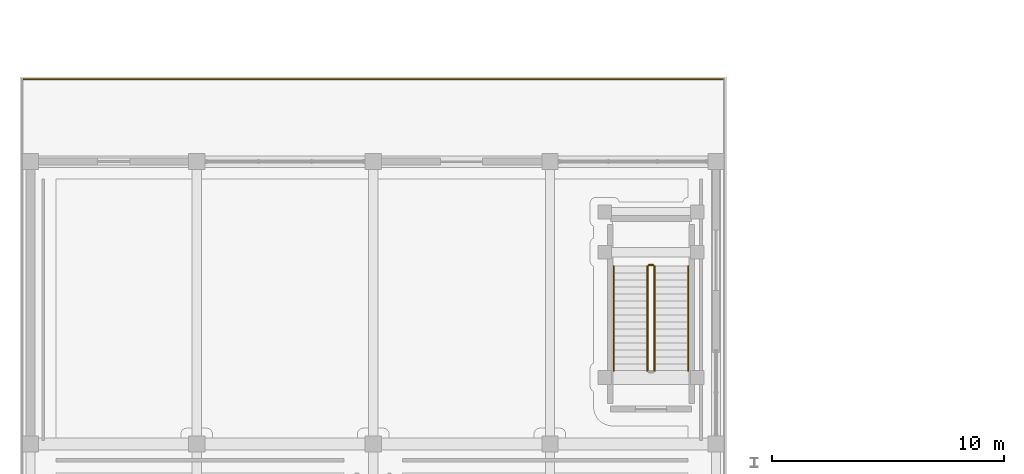
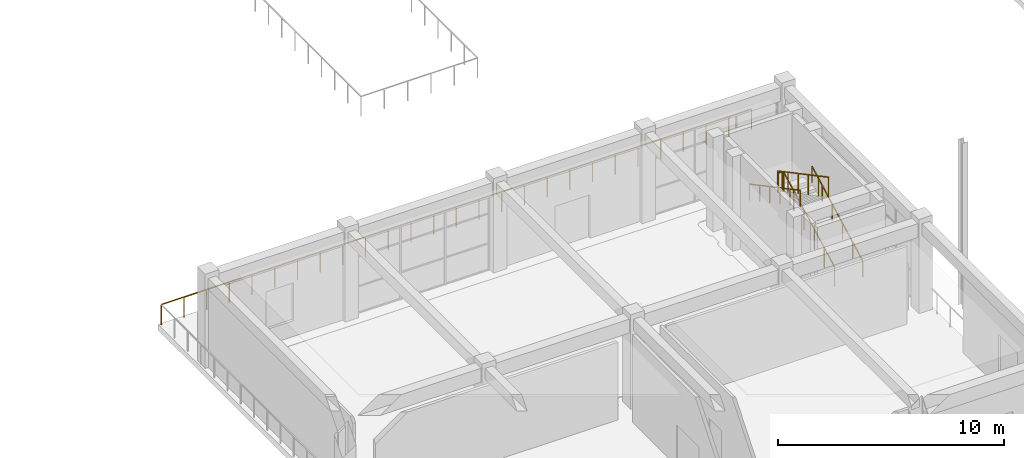
# One storey, part 79 of 99: 6 railings.
"""IFC4 building model written with IfcOpenShell, lengths in metres."""

from ifc_helpers import new_model, si_unit, direction, frame, origin, origin_2d, place, context, subcontext, project, spatial, rectangle, extrude, material, layer, layer_set, type_object, element, save


model = new_model("IFC4")

# Units and contexts
model_context = context("Model", 3, precision=1e-05, world=origin(), true_north=direction((0.0, 1.0)))
body_context = subcontext(model_context, "Body", "Model", "MODEL_VIEW")
ifc_project = project(units=[si_unit("LENGTHUNIT", "METRE"), si_unit("AREAUNIT", "SQUARE_METRE"), si_unit("VOLUMEUNIT", "CUBIC_METRE"), si_unit("PLANEANGLEUNIT", "RADIAN"), si_unit("MASSUNIT", "GRAM", prefix="KILO")], contexts=[model_context])

# Site, building, storey
site_placement = place(None, origin())
site = spatial("IfcSite", under=ifc_project, at=site_placement, CompositionType="ELEMENT")
building_placement = place(site_placement, origin())
building = spatial("IfcBuilding", under=site, at=building_placement, Name="Saryqyr Civic Hall", CompositionType="ELEMENT")
storey_placement = place(building_placement, origin())
storey = spatial("IfcBuildingStorey", under=building, at=storey_placement, Name="L00", CompositionType="ELEMENT", Elevation=0.0)

# Railings
ifc_material_1 = material(Name="Warm brushed brass and laminated glass", Category="glass")
ifc_layer_1 = layer(ifc_material_1, 0.06005859375, Name="Warm brushed brass and laminated glass")
ifc_layer_set_1 = layer_set([ifc_layer_1], Name="Warm brushed brass and laminated glass")
railing_type_1 = type_object("IfcRailingType", Name="INT-RLG-BAL-1100", PredefinedType="BALUSTRADE", material=ifc_layer_set_1)
railing_1_placement = place(storey_placement, frame((27.300048828125, 15.75, 0.159423828125)))
element("IfcRailing", 1, at=railing_1_placement, inside=storey, type_object=railing_type_1, Name="L00 ST-7 stair guard 1", PredefinedType="BALUSTRADE", context=body_context, shape_type="SweptSolid", body=[
    extrude(rectangle(XDim=0.048095703125, YDim=0.048095703125, at=origin_2d()), frame((0.0, 0.0, 1.076171875), z_axis=(0.0, 0.883115719457, 0.469155225962), x_axis=(-1.0, 0.0, 0.0)), (0.0, 0.0, 1.0), 5.095703125),
    extrude(rectangle(XDim=0.0419921875, YDim=0.0419921875, at=origin_2d()), origin(), (0.0, 0.0, 1.0), 1.052001953125),
    extrude(rectangle(XDim=0.0419921875, YDim=0.0419921875, at=origin_2d()), frame((0.0, 0.89990234375, 0.47802734375)), (0.0, 0.0, 1.0), 1.052001953125),
    extrude(rectangle(XDim=0.0419921875, YDim=0.0419921875, at=origin_2d()), frame((0.0, 1.800048828125, 0.956298828125)), (0.0, 0.0, 1.0), 1.052001953125),
    extrude(rectangle(XDim=0.0419921875, YDim=0.0419921875, at=origin_2d()), frame((0.0, 2.699951171875, 1.434326171875)), (0.0, 0.0, 1.0), 1.052001953125),
    extrude(rectangle(XDim=0.0419921875, YDim=0.0419921875, at=origin_2d()), frame((0.0, 3.60009765625, 1.91259765625)), (0.0, 0.0, 1.0), 1.052001953125),
    extrude(rectangle(XDim=0.0419921875, YDim=0.0419921875, at=origin_2d()), frame((0.0, 4.5, 2.390625)), (0.0, 0.0, 1.0), 1.052001953125),
])
railing_2_placement = place(storey_placement, frame((27.25, 20.300048828125, 2.550048828125)))
element("IfcRailing", 2, at=railing_2_placement, inside=storey, type_object=railing_type_1, Name="L00 ST-7 stair guard 2", PredefinedType="BALUSTRADE", context=body_context, shape_type="SweptSolid", body=[
    extrude(rectangle(XDim=0.048095703125, YDim=0.048095703125, at=origin_2d()), frame((0.0, 0.0, 1.076171875), z_axis=(-1.0, 0.0, 0.0), x_axis=(0.0, -1.0, 0.0)), (0.0, 0.0, 1.0), 0.199951171875),
    extrude(rectangle(XDim=0.0419921875, YDim=0.0419921875, at=origin_2d()), origin(), (0.0, 0.0, 1.0), 1.052001953125),
    extrude(rectangle(XDim=0.0419921875, YDim=0.0419921875, at=origin_2d()), frame((-0.199951171875, 0.0, 0.0)), (0.0, 0.0, 1.0), 1.052001953125),
])
railing_3_placement = place(storey_placement, frame((27.0, 20.25, 2.70947265625)))
element("IfcRailing", 3, at=railing_3_placement, inside=storey, type_object=railing_type_1, Name="L00 ST-7 stair guard 3", PredefinedType="BALUSTRADE", context=body_context, shape_type="SweptSolid", body=[
    extrude(rectangle(XDim=0.048095703125, YDim=0.048095703125, at=origin_2d()), frame((0.0, 0.0, 1.076171875), z_axis=(0.0, -0.883115719457, 0.469155225962), x_axis=(1.0, 0.0, 0.0)), (0.0, 0.0, 1.0), 5.095703125),
    extrude(rectangle(XDim=0.0419921875, YDim=0.0419921875, at=origin_2d()), origin(), (0.0, 0.0, 1.0), 1.052001953125),
    extrude(rectangle(XDim=0.0419921875, YDim=0.0419921875, at=origin_2d()), frame((0.0, -0.89990234375, 0.47802734375)), (0.0, 0.0, 1.0), 1.052001953125),
    extrude(rectangle(XDim=0.0419921875, YDim=0.0419921875, at=origin_2d()), frame((0.0, -1.800048828125, 0.956298828125)), (0.0, 0.0, 1.0), 1.052001953125),
    extrude(rectangle(XDim=0.0419921875, YDim=0.0419921875, at=origin_2d()), frame((0.0, -2.699951171875, 1.434326171875)), (0.0, 0.0, 1.0), 1.052001953125),
    extrude(rectangle(XDim=0.0419921875, YDim=0.0419921875, at=origin_2d()), frame((0.0, -3.60009765625, 1.91259765625)), (0.0, 0.0, 1.0), 1.052001953125),
    extrude(rectangle(XDim=0.0419921875, YDim=0.0419921875, at=origin_2d()), frame((0.0, -4.5, 2.390625)), (0.0, 0.0, 1.0), 1.052001953125),
])
railing_4_placement = place(storey_placement, frame((0.10009765625, 28.300048828125, 0.0)))
element("IfcRailing", 4, at=railing_4_placement, inside=storey, type_object=railing_type_1, Name="Interior deck safety balustrade L00-075", PredefinedType="BALUSTRADE", context=body_context, shape_type="SweptSolid", body=[
    extrude(rectangle(XDim=0.048095703125, YDim=0.048095703125, at=origin_2d()), frame((0.0, 0.0, 1.09619140625), z_axis=(1.0, 0.0, 0.0), x_axis=(0.0, 1.0, 0.0)), (0.0, 0.0, 1.0), 30.199951171875),
    extrude(rectangle(XDim=0.0419921875, YDim=0.0419921875, at=origin_2d()), origin(), (0.0, 0.0, 1.0), 1.072021484375),
    extrude(rectangle(XDim=0.0419921875, YDim=0.0419921875, at=origin_2d()), frame((1.16162109375, 0.0, 0.0)), (0.0, 0.0, 1.0), 1.072021484375),
    extrude(rectangle(XDim=0.0419921875, YDim=0.0419921875, at=origin_2d()), frame((2.322998046875, 0.0, 0.0)), (0.0, 0.0, 1.0), 1.072021484375),
    extrude(rectangle(XDim=0.0419921875, YDim=0.0419921875, at=origin_2d()), frame((3.484619140625, 0.0, 0.0)), (0.0, 0.0, 1.0), 1.072021484375),
    extrude(rectangle(XDim=0.0419921875, YDim=0.0419921875, at=origin_2d()), frame((4.646240234375, 0.0, 0.0)), (0.0, 0.0, 1.0), 1.072021484375),
    extrude(rectangle(XDim=0.0419921875, YDim=0.0419921875, at=origin_2d()), frame((5.8076171875, 0.0, 0.0)), (0.0, 0.0, 1.0), 1.072021484375),
    extrude(rectangle(XDim=0.0419921875, YDim=0.0419921875, at=origin_2d()), frame((6.96923828125, 0.0, 0.0)), (0.0, 0.0, 1.0), 1.072021484375),
    extrude(rectangle(XDim=0.0419921875, YDim=0.0419921875, at=origin_2d()), frame((8.130859375, 0.0, 0.0)), (0.0, 0.0, 1.0), 1.072021484375),
    extrude(rectangle(XDim=0.0419921875, YDim=0.0419921875, at=origin_2d()), frame((9.292236328125, 0.0, 0.0)), (0.0, 0.0, 1.0), 1.072021484375),
    extrude(rectangle(XDim=0.0419921875, YDim=0.0419921875, at=origin_2d()), frame((10.453857421875, 0.0, 0.0)), (0.0, 0.0, 1.0), 1.072021484375),
    extrude(rectangle(XDim=0.0419921875, YDim=0.0419921875, at=origin_2d()), frame((11.615478515625, 0.0, 0.0)), (0.0, 0.0, 1.0), 1.072021484375),
    extrude(rectangle(XDim=0.0419921875, YDim=0.0419921875, at=origin_2d()), frame((12.77685546875, 0.0, 0.0)), (0.0, 0.0, 1.0), 1.072021484375),
    extrude(rectangle(XDim=0.0419921875, YDim=0.0419921875, at=origin_2d()), frame((13.9384765625, 0.0, 0.0)), (0.0, 0.0, 1.0), 1.072021484375),
    extrude(rectangle(XDim=0.0419921875, YDim=0.0419921875, at=origin_2d()), frame((15.10009765625, 0.0, 0.0)), (0.0, 0.0, 1.0), 1.072021484375),
    extrude(rectangle(XDim=0.0419921875, YDim=0.0419921875, at=origin_2d()), frame((16.261474609375, 0.0, 0.0)), (0.0, 0.0, 1.0), 1.072021484375),
    extrude(rectangle(XDim=0.0419921875, YDim=0.0419921875, at=origin_2d()), frame((17.423095703125, 0.0, 0.0)), (0.0, 0.0, 1.0), 1.072021484375),
    extrude(rectangle(XDim=0.0419921875, YDim=0.0419921875, at=origin_2d()), frame((18.58447265625, 0.0, 0.0)), (0.0, 0.0, 1.0), 1.072021484375),
    extrude(rectangle(XDim=0.0419921875, YDim=0.0419921875, at=origin_2d()), frame((19.74609375, 0.0, 0.0)), (0.0, 0.0, 1.0), 1.072021484375),
    extrude(rectangle(XDim=0.0419921875, YDim=0.0419921875, at=origin_2d()), frame((20.90771484375, 0.0, 0.0)), (0.0, 0.0, 1.0), 1.072021484375),
    extrude(rectangle(XDim=0.0419921875, YDim=0.0419921875, at=origin_2d()), frame((22.069091796875, 0.0, 0.0)), (0.0, 0.0, 1.0), 1.072021484375),
    extrude(rectangle(XDim=0.0419921875, YDim=0.0419921875, at=origin_2d()), frame((23.230712890625, 0.0, 0.0)), (0.0, 0.0, 1.0), 1.072021484375),
    extrude(rectangle(XDim=0.0419921875, YDim=0.0419921875, at=origin_2d()), frame((24.392333984375, 0.0, 0.0)), (0.0, 0.0, 1.0), 1.072021484375),
    extrude(rectangle(XDim=0.0419921875, YDim=0.0419921875, at=origin_2d()), frame((25.5537109375, 0.0, 0.0)), (0.0, 0.0, 1.0), 1.072021484375),
    extrude(rectangle(XDim=0.0419921875, YDim=0.0419921875, at=origin_2d()), frame((26.71533203125, 0.0, 0.0)), (0.0, 0.0, 1.0), 1.072021484375),
    extrude(rectangle(XDim=0.0419921875, YDim=0.0419921875, at=origin_2d()), frame((27.876953125, 0.0, 0.0)), (0.0, 0.0, 1.0), 1.072021484375),
    extrude(rectangle(XDim=0.0419921875, YDim=0.0419921875, at=origin_2d()), frame((29.038330078125, 0.0, 0.0)), (0.0, 0.0, 1.0), 1.072021484375),
    extrude(rectangle(XDim=0.0419921875, YDim=0.0419921875, at=origin_2d()), frame((30.199951171875, 0.0, 0.0)), (0.0, 0.0, 1.0), 1.072021484375),
])
ifc_material_2 = material(Name="Stainless steel", Category="steel")
ifc_layer_2 = layer(ifc_material_2, 0.050048828125, Name="Stainless steel")
ifc_layer_set_2 = layer_set([ifc_layer_2], Name="Stainless steel")
railing_type_2 = type_object("IfcRailingType", Name="INT-RLG-HND-900", PredefinedType="HANDRAIL", material=ifc_layer_set_2)
railing_5_placement = place(storey_placement, frame((28.75, 15.75, 0.159423828125)))
element("IfcRailing", 5, at=railing_5_placement, inside=storey, type_object=railing_type_2, Name="L00 ST-7 stair handrail 1", PredefinedType="HANDRAIL", context=body_context, shape_type="SweptSolid", body=[
    extrude(rectangle(XDim=0.048095703125, YDim=0.048095703125, at=origin_2d()), frame((0.0, 0.0, 0.8759765625), z_axis=(0.0, 0.883115719457, 0.469155225962), x_axis=(-1.0, 0.0, 0.0)), (0.0, 0.0, 1.0), 5.095703125),
    extrude(rectangle(XDim=0.0419921875, YDim=0.0419921875, at=origin_2d()), origin(), (0.0, 0.0, 1.0), 0.851806640625),
    extrude(rectangle(XDim=0.0419921875, YDim=0.0419921875, at=origin_2d()), frame((0.0, 0.89990234375, 0.47802734375)), (0.0, 0.0, 1.0), 0.851806640625),
    extrude(rectangle(XDim=0.0419921875, YDim=0.0419921875, at=origin_2d()), frame((0.0, 1.800048828125, 0.956298828125)), (0.0, 0.0, 1.0), 0.851806640625),
    extrude(rectangle(XDim=0.0419921875, YDim=0.0419921875, at=origin_2d()), frame((0.0, 2.699951171875, 1.434326171875)), (0.0, 0.0, 1.0), 0.851806640625),
    extrude(rectangle(XDim=0.0419921875, YDim=0.0419921875, at=origin_2d()), frame((0.0, 3.60009765625, 1.91259765625)), (0.0, 0.0, 1.0), 0.851806640625),
    extrude(rectangle(XDim=0.0419921875, YDim=0.0419921875, at=origin_2d()), frame((0.0, 4.5, 2.390625)), (0.0, 0.0, 1.0), 0.851806640625),
])
railing_6_placement = place(storey_placement, frame((25.550048828125, 20.25, 2.70947265625)))
element("IfcRailing", 6, at=railing_6_placement, inside=storey, type_object=railing_type_2, Name="L00 ST-7 stair handrail 2", PredefinedType="HANDRAIL", context=body_context, shape_type="SweptSolid", body=[
    extrude(rectangle(XDim=0.048095703125, YDim=0.048095703125, at=origin_2d()), frame((0.0, 0.0, 0.8759765625), z_axis=(0.0, -0.883115719457, 0.469155225962), x_axis=(1.0, 0.0, 0.0)), (0.0, 0.0, 1.0), 5.095703125),
    extrude(rectangle(XDim=0.0419921875, YDim=0.0419921875, at=origin_2d()), origin(), (0.0, 0.0, 1.0), 0.851806640625),
    extrude(rectangle(XDim=0.0419921875, YDim=0.0419921875, at=origin_2d()), frame((0.0, -0.89990234375, 0.47802734375)), (0.0, 0.0, 1.0), 0.851806640625),
    extrude(rectangle(XDim=0.0419921875, YDim=0.0419921875, at=origin_2d()), frame((0.0, -1.800048828125, 0.956298828125)), (0.0, 0.0, 1.0), 0.851806640625),
    extrude(rectangle(XDim=0.0419921875, YDim=0.0419921875, at=origin_2d()), frame((0.0, -2.699951171875, 1.434326171875)), (0.0, 0.0, 1.0), 0.851806640625),
    extrude(rectangle(XDim=0.0419921875, YDim=0.0419921875, at=origin_2d()), frame((0.0, -3.60009765625, 1.91259765625)), (0.0, 0.0, 1.0), 0.851806640625),
    extrude(rectangle(XDim=0.0419921875, YDim=0.0419921875, at=origin_2d()), frame((0.0, -4.5, 2.390625)), (0.0, 0.0, 1.0), 0.851806640625),
])

save(model, "model.ifc")
